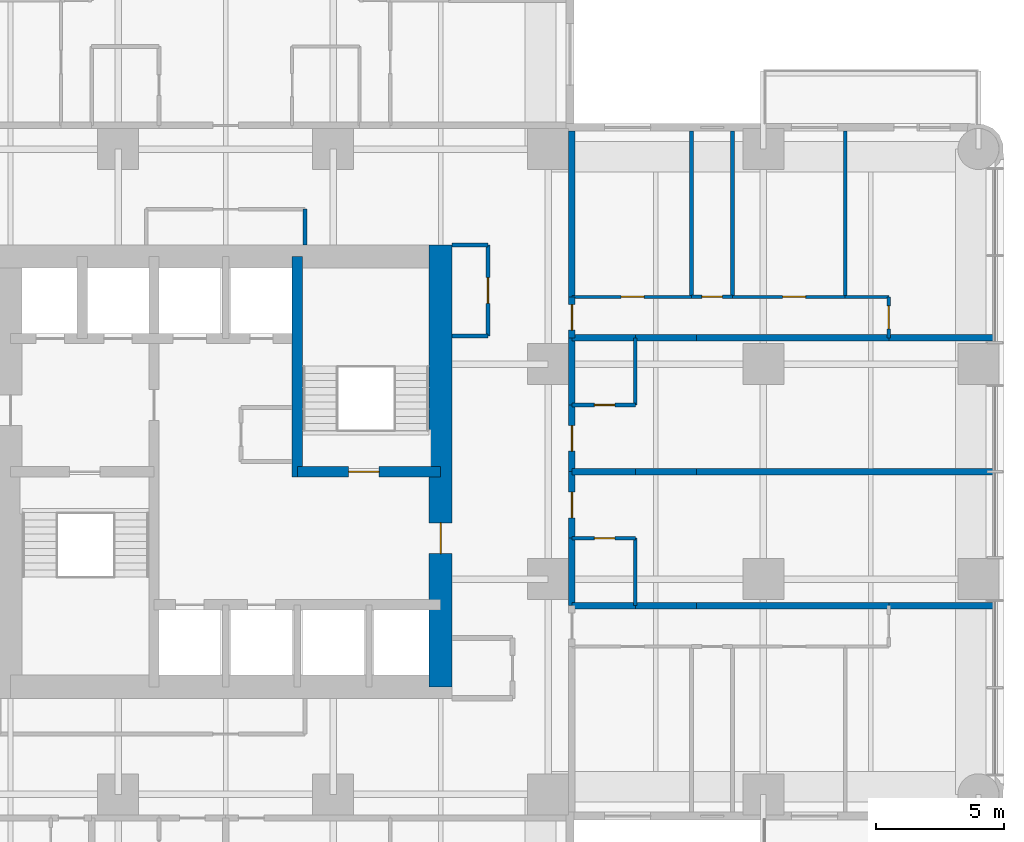
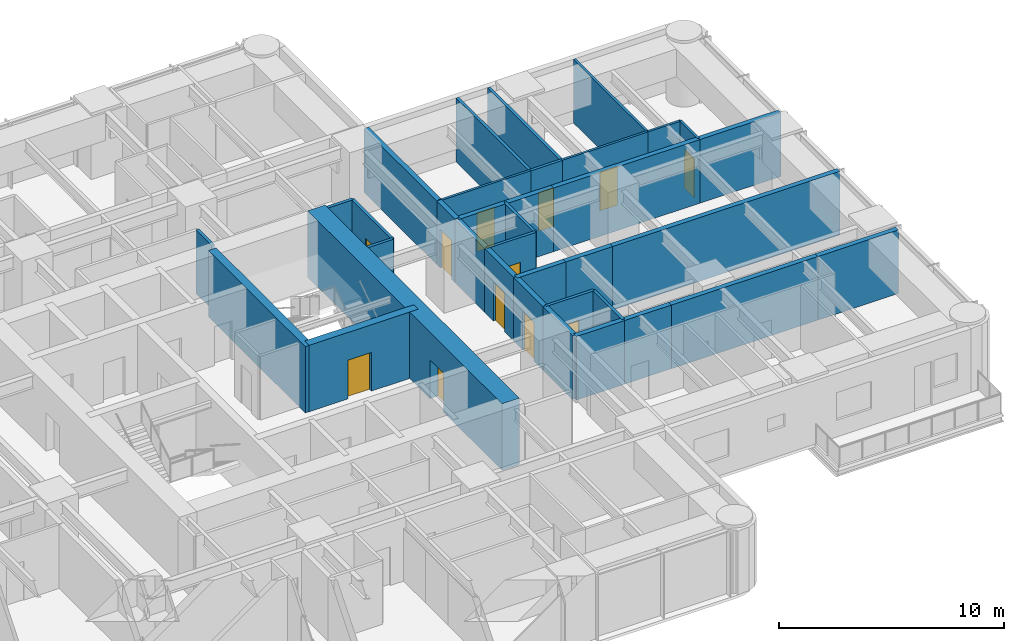
# One storey, part 10 of 14: 36 walls, 12 doors, 12 openings.
"""IFC4 building model written with IfcOpenShell, lengths in metres."""

from ifc_helpers import new_model, si_unit, direction, frame, frame_2d, origin, place, context, subcontext, project, spatial, rectangle, extrude, material, layer, layer_set, type_object, element, fill, save


model = new_model("IFC4")

# Units and contexts
model_context = context("Model", 3, precision=1e-05, world=origin(), true_north=direction((0.0, 1.0)))
body_context = subcontext(model_context, "Body", "Model", "MODEL_VIEW")
ifc_project = project(units=[si_unit("LENGTHUNIT", "METRE"), si_unit("AREAUNIT", "SQUARE_METRE"), si_unit("VOLUMEUNIT", "CUBIC_METRE"), si_unit("PLANEANGLEUNIT", "RADIAN"), si_unit("MASSUNIT", "GRAM", prefix="KILO")], contexts=[model_context])

# Site, building, storey
site_placement = place(None, origin())
site = spatial("IfcSite", under=ifc_project, at=site_placement, CompositionType="ELEMENT")
building_placement = place(site_placement, origin())
building = spatial("IfcBuilding", under=site, at=building_placement, Name="Torre Alcanfor", CompositionType="ELEMENT")
storey_placement = place(building_placement, frame((0.0, 0.0, 166.5)))
storey = spatial("IfcBuildingStorey", under=building, at=storey_placement, Name="L43", CompositionType="ELEMENT", Elevation=166.5)

# Wall, opening, door
ifc_material_1 = material(Name="Concrete block masonry, hollow blocks NMX-C-404 9 MPa", Category="masonry")
ifc_layer_1 = layer(ifc_material_1, 0.25)
ifc_layer_set_1 = layer_set([ifc_layer_1], Name="Apartment entrance wall 250 EI 60")
wall_type_1 = type_object("IfcWallType", Name="Apartment entrance wall 250 EI 60", PredefinedType="PARTITIONING", material=ifc_layer_set_1)
wall_1_placement = place(storey_placement, frame((42.925048828125, 32.0, 0.0), z_axis=(0.0, 0.0, 1.0), x_axis=(0.0, -1.0, 0.0)))
wall_1 = element("IfcWall", 1, at=wall_1_placement, inside=storey, type_object=wall_type_1, Name="Partition L43-CORR / L43-E1A-FOYER", PredefinedType="PARTITIONING", context=body_context, shape_type="SweptSolid", body=[
    extrude(rectangle(XDim=2.60009765625, YDim=0.25, at=frame_2d((1.300048828125, 0.0))), origin(), (0.0, 0.0, 1.0), 3.449951171875),
])
opening_1_placement = place(wall_1_placement, frame((0.800048828125, 0.0, 0.0)))
opening_1 = element("IfcOpeningElement", 2, at=opening_1_placement, cuts=wall_1, Name="Opening D-A1", PredefinedType="OPENING", context=body_context, shape_type="SweptSolid", body=[
    extrude(rectangle(XDim=1.0, YDim=2.10009765625, at=frame_2d((0.5, 1.050048828125))), frame((0.0, 0.135009765625, 0.0), z_axis=(0.0, -1.0, 0.0), x_axis=(1.0, 0.0, 0.0)), (0.0, 0.0, 1.0), 0.27001953125),
])
ifc_material_2 = material(Name="Galvanised steel sheet ASTM A653", Category="steel")
door_type_1 = type_object("IfcDoorType", Name="Apartment entrance door FD60 1000x2100", OperationType="SINGLE_SWING_LEFT", PredefinedType="DOOR", material=ifc_material_2)
door_1_placement = place(opening_1_placement, origin())
door_1 = element("IfcDoor", 3, at=door_1_placement, inside=storey, type_object=door_type_1, Name="Apartment entrance L43-E1A", OperationType="SINGLE_SWING_LEFT", OverallHeight=2.10009765625, OverallWidth=1.0, PredefinedType="DOOR", context=body_context, shape_type="SweptSolid", body=[
    extrude(rectangle(XDim=1.0, YDim=2.10009765625, at=frame_2d((0.5, 1.050048828125))), frame((0.0, 0.02490234375, 0.0), z_axis=(0.0, -1.0, 0.0), x_axis=(1.0, 0.0, 0.0)), (0.0, 0.0, 1.0), 0.050048828125),
])
fill(opening_1, door_1)

# Wall
wall_2_placement = place(storey_placement, frame((42.925048828125, 34.62890625, 0.0), z_axis=(0.0, 0.0, 1.0), x_axis=(0.0, -1.0, 0.0)))
element("IfcWall", 4, at=wall_2_placement, inside=storey, type_object=wall_type_1, Name="Partition L43-CORR / L43-E1A-BATH", PredefinedType="PARTITIONING", context=body_context, shape_type="SweptSolid", body=[
    extrude(rectangle(XDim=2.62890625, YDim=0.25, at=frame_2d((1.314453125, 0.0))), origin(), (0.0, 0.0, 1.0), 3.449951171875),
])

# Wall, opening, door
wall_3_placement = place(storey_placement, frame((42.925048828125, 36.22900390625, 0.0), z_axis=(0.0, 0.0, 1.0), x_axis=(0.0, -1.0, 0.0)))
wall_3 = element("IfcWall", 5, at=wall_3_placement, inside=storey, type_object=wall_type_1, Name="Partition L43-CORR / L43-E1B-HALL", PredefinedType="PARTITIONING", context=body_context, shape_type="SweptSolid", body=[
    extrude(rectangle(XDim=1.60009765625, YDim=0.25, at=frame_2d((0.800048828125, 0.0))), origin(), (0.0, 0.0, 1.0), 3.449951171875),
])
opening_2_placement = place(wall_3_placement, frame((0.300048828125, 0.0, 0.0)))
opening_2 = element("IfcOpeningElement", 6, at=opening_2_placement, cuts=wall_3, Name="Opening D-A1", PredefinedType="OPENING", context=body_context, shape_type="SweptSolid", body=[
    extrude(rectangle(XDim=1.0, YDim=2.10009765625, at=frame_2d((0.5, 1.050048828125))), frame((0.0, 0.135009765625, 0.0), z_axis=(0.0, -1.0, 0.0), x_axis=(1.0, 0.0, 0.0)), (0.0, 0.0, 1.0), 0.27001953125),
])
door_2_placement = place(opening_2_placement, origin())
door_2 = element("IfcDoor", 7, at=door_2_placement, inside=storey, type_object=door_type_1, Name="Apartment entrance L43-E1B", OperationType="SINGLE_SWING_LEFT", OverallHeight=2.10009765625, OverallWidth=1.0, PredefinedType="DOOR", context=body_context, shape_type="SweptSolid", body=[
    extrude(rectangle(XDim=1.0, YDim=2.10009765625, at=frame_2d((0.5, 1.050048828125))), frame((0.0, 0.02490234375, 0.0), z_axis=(0.0, -1.0, 0.0), x_axis=(1.0, 0.0, 0.0)), (0.0, 0.0, 1.0), 0.050048828125),
])
fill(opening_2, door_2)

# Wall
wall_4_placement = place(storey_placement, frame((42.925048828125, 42.699951171875, 0.0), z_axis=(0.0, 0.0, 1.0), x_axis=(0.0, -1.0, 0.0)))
element("IfcWall", 8, at=wall_4_placement, inside=storey, type_object=wall_type_1, Name="Partition L43-CORR / L43-E1B-MASTER", PredefinedType="PARTITIONING", context=body_context, shape_type="SweptSolid", body=[
    extrude(rectangle(XDim=6.470947265625, YDim=0.25, at=frame_2d((3.2353515625, 0.0))), origin(), (0.0, 0.0, 1.0), 3.449951171875),
])

# Wall, opening, door
wall_5_placement = place(storey_placement, frame((42.925048828125, 29.39990234375, 0.0), z_axis=(0.0, 0.0, 1.0), x_axis=(0.0, -1.0, 0.0)))
wall_5 = element("IfcWall", 9, at=wall_5_placement, inside=storey, type_object=wall_type_1, Name="Partition L43-CORR / L43-E2A-FOYER", PredefinedType="PARTITIONING", context=body_context, shape_type="SweptSolid", body=[
    extrude(rectangle(XDim=2.599853515625, YDim=0.25, at=frame_2d((1.2998046875, 0.0))), origin(), (0.0, 0.0, 1.0), 3.449951171875),
])
opening_3_placement = place(wall_5_placement, frame((0.800048828125, 0.0, 0.0)))
opening_3 = element("IfcOpeningElement", 10, at=opening_3_placement, cuts=wall_5, Name="Opening D-A1", PredefinedType="OPENING", context=body_context, shape_type="SweptSolid", body=[
    extrude(rectangle(XDim=1.0, YDim=2.10009765625, at=frame_2d((0.5, 1.050048828125))), frame((0.0, 0.135009765625, 0.0), z_axis=(0.0, -1.0, 0.0), x_axis=(1.0, 0.0, 0.0)), (0.0, 0.0, 1.0), 0.27001953125),
])
door_3_placement = place(opening_3_placement, origin())
door_3 = element("IfcDoor", 11, at=door_3_placement, inside=storey, type_object=door_type_1, Name="Apartment entrance L43-E2A", OperationType="SINGLE_SWING_LEFT", OverallHeight=2.10009765625, OverallWidth=1.0, PredefinedType="DOOR", context=body_context, shape_type="SweptSolid", body=[
    extrude(rectangle(XDim=1.0, YDim=2.10009765625, at=frame_2d((0.5, 1.050048828125))), frame((0.0, 0.02490234375, 0.0), z_axis=(0.0, -1.0, 0.0), x_axis=(1.0, 0.0, 0.0)), (0.0, 0.0, 1.0), 0.050048828125),
])
fill(opening_3, door_3)

# Wall
wall_6_placement = place(storey_placement, frame((42.925048828125, 26.800048828125, 0.0), z_axis=(0.0, 0.0, 1.0), x_axis=(0.0, -1.0, 0.0)))
element("IfcWall", 12, at=wall_6_placement, inside=storey, type_object=wall_type_1, Name="Partition L43-CORR / L43-E2A-BATH", PredefinedType="PARTITIONING", context=body_context, shape_type="SweptSolid", body=[
    extrude(rectangle(XDim=2.629150390625, YDim=0.25, at=frame_2d((1.314453125, 0.0))), origin(), (0.0, 0.0, 1.0), 3.449951171875),
])

# Wall, opening, door
ifc_material_3 = material(Name="Gypsum board on steel studs", Category="steel")
ifc_layer_2 = layer(ifc_material_3, 0.1201171875)
ifc_layer_set_2 = layer_set([ifc_layer_2], Name="Apartment partition 120")
wall_type_2 = type_object("IfcWallType", Name="Apartment partition 120", PredefinedType="PARTITIONING", material=ifc_layer_set_2)
wall_7_placement = place(storey_placement, frame((47.60009765625, 36.22900390625, 0.0), z_axis=(0.0, 0.0, 1.0), x_axis=(-1.0, 0.0, 0.0)))
wall_7 = element("IfcWall", 13, at=wall_7_placement, inside=storey, type_object=wall_type_2, Name="Partition L43-E1B-HALL / L43-E1B-MASTER", PredefinedType="PARTITIONING", context=body_context, shape_type="SweptSolid", body=[
    extrude(rectangle(XDim=4.675048828125, YDim=0.1201171875, at=frame_2d((2.33740234375, 0.0))), origin(), (0.0, 0.0, 1.0), 3.449951171875),
])
opening_4_placement = place(wall_7_placement, frame((1.85009765625, 0.0, 0.0)))
opening_4 = element("IfcOpeningElement", 14, at=opening_4_placement, cuts=wall_7, Name="Opening D-R1", PredefinedType="OPENING", context=body_context, shape_type="SweptSolid", body=[
    extrude(rectangle(XDim=0.89990234375, YDim=2.10009765625, at=frame_2d((0.449951171875, 1.050048828125))), frame((0.0, 0.070068359375, 0.0), z_axis=(0.0, -1.0, 0.0), x_axis=(1.0, 0.0, 0.0)), (0.0, 0.0, 1.0), 0.14013671875),
])
ifc_material_4 = material(Name="Timber", Category="wood")
door_type_2 = type_object("IfcDoorType", Name="Internal door 900x2100", OperationType="SINGLE_SWING_LEFT", PredefinedType="DOOR", material=ifc_material_4)
door_4_placement = place(opening_4_placement, frame((0.89990234375, 0.0, 0.0), z_axis=(0.0, 0.0, 1.0), x_axis=(-1.0, 0.0, 0.0)))
door_4 = element("IfcDoor", 15, at=door_4_placement, inside=storey, type_object=door_type_2, Name="Door L43-E1B master", OperationType="SINGLE_SWING_RIGHT", OverallHeight=2.10009765625, OverallWidth=0.89990234375, PredefinedType="DOOR", context=body_context, shape_type="SweptSolid", body=[
    extrude(rectangle(XDim=0.89990234375, YDim=2.10009765625, at=frame_2d((0.449951171875, 1.050048828125))), frame((0.0, 0.025146484375, 0.0), z_axis=(0.0, -1.0, 0.0), x_axis=(1.0, 0.0, 0.0)), (0.0, 0.0, 1.0), 0.050048828125),
])
fill(opening_4, door_4)

wall_8_placement = place(storey_placement, frame((53.60009765625, 36.22900390625, 0.0), z_axis=(0.0, 0.0, 1.0), x_axis=(-1.0, 0.0, 0.0)))
wall_8 = element("IfcWall", 16, at=wall_8_placement, inside=storey, type_object=wall_type_2, Name="Partition L43-E1B-HALL / L43-E1B-STUDY", PredefinedType="PARTITIONING", context=body_context, shape_type="SweptSolid", body=[
    extrude(rectangle(XDim=4.400146484375, YDim=0.1201171875, at=frame_2d((2.2001953125, 0.0))), origin(), (0.0, 0.0, 1.0), 3.449951171875),
])
opening_5_placement = place(wall_8_placement, frame((1.550048828125, 0.0, 0.0)))
opening_5 = element("IfcOpeningElement", 17, at=opening_5_placement, cuts=wall_8, Name="Opening D-R1", PredefinedType="OPENING", context=body_context, shape_type="SweptSolid", body=[
    extrude(rectangle(XDim=0.89990234375, YDim=2.10009765625, at=frame_2d((0.449951171875, 1.050048828125))), frame((0.0, 0.070068359375, 0.0), z_axis=(0.0, -1.0, 0.0), x_axis=(1.0, 0.0, 0.0)), (0.0, 0.0, 1.0), 0.14013671875),
])
door_5_placement = place(opening_5_placement, frame((0.89990234375, 0.0, 0.0), z_axis=(0.0, 0.0, 1.0), x_axis=(-1.0, 0.0, 0.0)))
door_5 = element("IfcDoor", 18, at=door_5_placement, inside=storey, type_object=door_type_2, Name="Door L43-E1B study", OperationType="SINGLE_SWING_RIGHT", OverallHeight=2.10009765625, OverallWidth=0.89990234375, PredefinedType="DOOR", context=body_context, shape_type="SweptSolid", body=[
    extrude(rectangle(XDim=0.89990234375, YDim=2.10009765625, at=frame_2d((0.449951171875, 1.050048828125))), frame((0.0, 0.025146484375, 0.0), z_axis=(0.0, -1.0, 0.0), x_axis=(1.0, 0.0, 0.0)), (0.0, 0.0, 1.0), 0.050048828125),
])
fill(opening_5, door_5)

# Wall
wall_9_placement = place(storey_placement, frame((55.300048828125, 36.22900390625, 0.0), z_axis=(0.0, 0.0, 1.0), x_axis=(-1.0, 0.0, 0.0)))
element("IfcWall", 19, at=wall_9_placement, inside=storey, type_object=wall_type_2, Name="Partition L43-E1B-HALL / L43-E1B-KITCHEN", PredefinedType="PARTITIONING", context=body_context, shape_type="SweptSolid", body=[
    extrude(rectangle(XDim=1.699951171875, YDim=0.1201171875, at=frame_2d((0.85009765625, 0.0))), origin(), (0.0, 0.0, 1.0), 3.449951171875),
])

# Wall, opening, door
wall_10_placement = place(storey_placement, frame((55.300048828125, 34.62890625, 0.0), z_axis=(0.0, 0.0, 1.0), x_axis=(0.0, 1.0, 0.0)))
wall_10 = element("IfcWall", 20, at=wall_10_placement, inside=storey, type_object=wall_type_2, Name="Partition L43-E1B-HALL / L43-E1B-LIVING", PredefinedType="PARTITIONING", context=body_context, shape_type="SweptSolid", body=[
    extrude(rectangle(XDim=1.60009765625, YDim=0.1201171875, at=frame_2d((0.800048828125, 0.0))), origin(), (0.0, 0.0, 1.0), 3.449951171875),
])
opening_6_placement = place(wall_10_placement, frame((0.35009765625, 0.0, 0.0)))
opening_6 = element("IfcOpeningElement", 21, at=opening_6_placement, cuts=wall_10, Name="Opening D-R1", PredefinedType="OPENING", context=body_context, shape_type="SweptSolid", body=[
    extrude(rectangle(XDim=0.89990234375, YDim=2.10009765625, at=frame_2d((0.449951171875, 1.050048828125))), frame((0.0, 0.070068359375, 0.0), z_axis=(0.0, -1.0, 0.0), x_axis=(1.0, 0.0, 0.0)), (0.0, 0.0, 1.0), 0.14013671875),
])
door_6_placement = place(opening_6_placement, frame((0.89990234375, 0.0, 0.0), z_axis=(0.0, 0.0, 1.0), x_axis=(-1.0, 0.0, 0.0)))
door_6 = element("IfcDoor", 22, at=door_6_placement, inside=storey, type_object=door_type_2, Name="Door L43-E1B living", OperationType="SINGLE_SWING_RIGHT", OverallHeight=2.10009765625, OverallWidth=0.89990234375, PredefinedType="DOOR", context=body_context, shape_type="SweptSolid", body=[
    extrude(rectangle(XDim=0.89990234375, YDim=2.10009765625, at=frame_2d((0.449951171875, 1.050048828125))), frame((0.0, 0.025146484375, 0.0), z_axis=(0.0, -1.0, 0.0), x_axis=(1.0, 0.0, 0.0)), (0.0, 0.0, 1.0), 0.050048828125),
])
fill(opening_6, door_6)

# Walls
wall_11_placement = place(storey_placement, frame((53.60009765625, 36.22900390625, 0.0), z_axis=(0.0, 0.0, 1.0), x_axis=(0.0, 1.0, 0.0)))
element("IfcWall", 23, at=wall_11_placement, inside=storey, type_object=wall_type_2, Name="Partition L43-E1B-STUDY / L43-E1B-KITCHEN", PredefinedType="PARTITIONING", context=body_context, shape_type="SweptSolid", body=[
    extrude(rectangle(XDim=6.470947265625, YDim=0.1201171875, at=frame_2d((3.2353515625, 0.0))), origin(), (0.0, 0.0, 1.0), 3.449951171875),
])
ifc_material_5 = material(Name="Concrete f'c 70 MPa", Category="concrete")
ifc_layer_3 = layer(ifc_material_5, 0.39990234375)
ifc_layer_set_3 = layer_set([ifc_layer_3], Name="Core inner wall 400 f'c70")
wall_type_3 = type_object("IfcWallType", Name="Core inner wall 400 f'c70", PredefinedType="SHEAR", material=ifc_layer_set_3)
wall_12_placement = place(storey_placement, frame((32.199951171875, 29.199951171875, 0.0), z_axis=(0.0, 0.0, 1.0), x_axis=(0.0, 1.0, 0.0)))
element("IfcWall", 24, at=wall_12_placement, inside=storey, type_object=wall_type_3, Name="Core wall X322N L43", PredefinedType="SHEAR", context=body_context, shape_type="SweptSolid", body=[
    extrude(rectangle(XDim=8.60009765625, YDim=0.39990234375, at=frame_2d((4.300048828125, 0.0))), origin(), (0.0, 0.0, 1.0), 3.60009765625),
])

# Wall, opening, door
wall_13_placement = place(storey_placement, frame((32.199951171875, 29.39990234375, 0.0), z_axis=(0.0, 0.0, 1.0), x_axis=(1.0, 0.0, 0.0)))
wall_13 = element("IfcWall", 25, at=wall_13_placement, inside=storey, type_object=wall_type_3, Name="Core wall Y294E L43", PredefinedType="SHEAR", context=body_context, shape_type="SweptSolid", body=[
    extrude(rectangle(XDim=5.60009765625, YDim=0.39990234375, at=frame_2d((2.800048828125, 0.0))), origin(), (0.0, 0.0, 1.0), 3.60009765625),
])
opening_7_placement = place(wall_13_placement, frame((2.0, 0.0, 0.0)))
opening_7 = element("IfcOpeningElement", 26, at=opening_7_placement, cuts=wall_13, Name="Opening D-S2", PredefinedType="OPENING", context=body_context, shape_type="SweptSolid", body=[
    extrude(rectangle(XDim=1.199951171875, YDim=2.10009765625, at=frame_2d((0.60009765625, 1.050048828125))), frame((0.0, 0.2099609375, 0.0), z_axis=(0.0, -1.0, 0.0), x_axis=(1.0, 0.0, 0.0)), (0.0, 0.0, 1.0), 0.419921875),
])
ifc_material_6 = material(Name="Galvanised steel sheet ASTM A653", Category="steel")
door_type_3 = type_object("IfcDoorType", Name="Stair enclosure door FD120 1200x2100", OperationType="SINGLE_SWING_LEFT", PredefinedType="DOOR", material=ifc_material_6)
door_7_placement = place(opening_7_placement, origin())
door_7 = element("IfcDoor", 27, at=door_7_placement, inside=storey, type_object=door_type_3, Name="Stair S2 door L43", OperationType="SINGLE_SWING_LEFT", OverallHeight=2.10009765625, OverallWidth=1.199951171875, PredefinedType="DOOR", context=body_context, shape_type="SweptSolid", body=[
    extrude(rectangle(XDim=1.199951171875, YDim=2.10009765625, at=frame_2d((0.60009765625, 1.050048828125))), frame((0.0, 0.02490234375, 0.0), z_axis=(0.0, -1.0, 0.0), x_axis=(1.0, 0.0, 0.0)), (0.0, 0.0, 1.0), 0.050048828125),
])
fill(opening_7, door_7)

ifc_material_7 = material(Name="Concrete f'c 70 MPa", Category="concrete")
ifc_layer_4 = layer(ifc_material_7, 0.89990234375)
ifc_layer_set_4 = layer_set([ifc_layer_4], Name="Core wall 900 f'c70")
wall_type_4 = type_object("IfcWallType", Name="Core wall 900 f'c70", PredefinedType="SHEAR", material=ifc_layer_set_4)
wall_14_placement = place(storey_placement, frame((37.800048828125, 21.0, 0.0), z_axis=(0.0, 0.0, 1.0), x_axis=(0.0, 1.0, 0.0)))
wall_14 = element("IfcWall", 28, at=wall_14_placement, inside=storey, type_object=wall_type_4, Name="Core wall OUT-E L43", PredefinedType="SHEAR", context=body_context, shape_type="SweptSolid", body=[
    extrude(rectangle(XDim=17.25, YDim=0.89990234375, at=frame_2d((8.625, 0.0))), origin(), (0.0, 0.0, 1.0), 3.60009765625),
])
opening_8_placement = place(wall_14_placement, frame((5.199951171875, 0.0, 0.0)))
opening_8 = element("IfcOpeningElement", 29, at=opening_8_placement, cuts=wall_14, Name="Opening D-L1", PredefinedType="OPENING", context=body_context, shape_type="SweptSolid", body=[
    extrude(rectangle(XDim=1.199951171875, YDim=2.10009765625, at=frame_2d((0.60009765625, 1.050048828125))), frame((0.0, 0.4599609375, 0.0), z_axis=(0.0, -1.0, 0.0), x_axis=(1.0, 0.0, 0.0)), (0.0, 0.0, 1.0), 0.919921875),
])
ifc_material_8 = material(Name="Galvanised steel sheet ASTM A653", Category="steel")
door_type_4 = type_object("IfcDoorType", Name="Lobby door FD120 1200x2100", OperationType="SINGLE_SWING_LEFT", PredefinedType="DOOR", material=ifc_material_8)
door_8_placement = place(opening_8_placement, origin())
door_8 = element("IfcDoor", 30, at=door_8_placement, inside=storey, type_object=door_type_4, Name="Lift lobby entrance door L43", OperationType="SINGLE_SWING_LEFT", OverallHeight=2.10009765625, OverallWidth=1.199951171875, PredefinedType="DOOR", context=body_context, shape_type="SweptSolid", body=[
    extrude(rectangle(XDim=1.199951171875, YDim=2.10009765625, at=frame_2d((0.60009765625, 1.050048828125))), frame((0.0, 0.02490234375, 0.0), z_axis=(0.0, -1.0, 0.0), x_axis=(1.0, 0.0, 0.0)), (0.0, 0.0, 1.0), 0.050048828125),
])
fill(opening_8, door_8)

# Walls
ifc_material_9 = material(Name="Concrete block masonry, hollow blocks NMX-C-404 9 MPa", Category="masonry")
ifc_layer_5 = layer(ifc_material_9, 0.25)
ifc_layer_set_5 = layer_set([ifc_layer_5], Name="Party wall 250 EI 60")
wall_type_5 = type_object("IfcWallType", Name="Party wall 250 EI 60", PredefinedType="PARTITIONING", material=ifc_layer_set_5)
for number, where, z_axis, x_axis, name in (
    (31, (42.925048828125, 29.39990234375, 0.0), (0.0, 0.0, 1.0), (1.0, 0.0, 0.0), "Partition L43-E1A-FOYER / L43-E2A-FOYER"),
    (32, (45.39990234375, 34.62890625, 0.0), (0.0, 0.0, 1.0), (-1.0, 0.0, 0.0), "Partition L43-E1A-BATH / L43-E1B-HALL"),
):
    element("IfcWall", number, at=place(storey_placement, frame(where, z_axis=z_axis, x_axis=x_axis)), inside=storey, type_object=wall_type_5, Name=name, PredefinedType="PARTITIONING", context=body_context, shape_type="SweptSolid", body=[
        extrude(rectangle(XDim=2.474853515625, YDim=0.25, at=frame_2d((1.2373046875, 0.0))), origin(), (0.0, 0.0, 1.0), 3.449951171875),
    ])
for number, where, z_axis, x_axis, name in (
    (33, (47.800048828125, 34.62890625, 0.0), (0.0, 0.0, 1.0), (-1.0, 0.0, 0.0), "Partition L43-E1A-KITCHEN / L43-E1B-HALL"),
    (34, (45.39990234375, 29.39990234375, 0.0), (0.0, 0.0, 1.0), (1.0, 0.0, 0.0), "Partition L43-E1A-KITCHEN / L43-E2A-KITCHEN"),
):
    element("IfcWall", number, at=place(storey_placement, frame(where, z_axis=z_axis, x_axis=x_axis)), inside=storey, type_object=wall_type_5, Name=name, PredefinedType="PARTITIONING", context=body_context, shape_type="SweptSolid", body=[
        extrude(rectangle(XDim=2.400146484375, YDim=0.25, at=frame_2d((1.2001953125, 0.0))), origin(), (0.0, 0.0, 1.0), 3.449951171875),
    ])
wall_15_placement = place(storey_placement, frame((55.300048828125, 34.62890625, 0.0), z_axis=(0.0, 0.0, 1.0), x_axis=(-1.0, 0.0, 0.0)))
element("IfcWall", 35, at=wall_15_placement, inside=storey, type_object=wall_type_5, Name="Partition L43-E1A-STUDIO / L43-E1B-HALL", PredefinedType="PARTITIONING", context=body_context, shape_type="SweptSolid", body=[
    extrude(rectangle(XDim=7.5, YDim=0.25, at=frame_2d((3.75, 0.0))), origin(), (0.0, 0.0, 1.0), 3.449951171875),
])
wall_16_placement = place(storey_placement, frame((59.449951171875, 34.62890625, 0.0), z_axis=(0.0, 0.0, 1.0), x_axis=(-1.0, 0.0, 0.0)))
element("IfcWall", 36, at=wall_16_placement, inside=storey, type_object=wall_type_5, Name="Partition L43-E1A-STUDIO / L43-E1B-LIVING", PredefinedType="PARTITIONING", context=body_context, shape_type="SweptSolid", body=[
    extrude(rectangle(XDim=4.14990234375, YDim=0.25, at=frame_2d((2.074951171875, 0.0))), origin(), (0.0, 0.0, 1.0), 3.449951171875),
])
wall_17_placement = place(storey_placement, frame((47.800048828125, 29.39990234375, 0.0), z_axis=(0.0, 0.0, 1.0), x_axis=(1.0, 0.0, 0.0)))
element("IfcWall", 37, at=wall_17_placement, inside=storey, type_object=wall_type_5, Name="Partition L43-E1A-STUDIO / L43-E2A-STUDIO", PredefinedType="PARTITIONING", context=body_context, shape_type="SweptSolid", body=[
    extrude(rectangle(XDim=11.64990234375, YDim=0.25, at=frame_2d((5.824951171875, 0.0))), origin(), (0.0, 0.0, 1.0), 3.449951171875),
])
wall_18_placement = place(storey_placement, frame((45.39990234375, 24.1708984375, 0.0), z_axis=(0.0, 0.0, 1.0), x_axis=(-1.0, 0.0, 0.0)))
element("IfcWall", 38, at=wall_18_placement, inside=storey, type_object=wall_type_5, Name="Partition L43-E2A-BATH / L43-E2B-HALL", PredefinedType="PARTITIONING", context=body_context, shape_type="SweptSolid", body=[
    extrude(rectangle(XDim=2.474853515625, YDim=0.25, at=frame_2d((1.2373046875, 0.0))), origin(), (0.0, 0.0, 1.0), 3.449951171875),
])
wall_19_placement = place(storey_placement, frame((47.800048828125, 24.1708984375, 0.0), z_axis=(0.0, 0.0, 1.0), x_axis=(-1.0, 0.0, 0.0)))
element("IfcWall", 39, at=wall_19_placement, inside=storey, type_object=wall_type_5, Name="Partition L43-E2A-KITCHEN / L43-E2B-HALL", PredefinedType="PARTITIONING", context=body_context, shape_type="SweptSolid", body=[
    extrude(rectangle(XDim=2.400146484375, YDim=0.25, at=frame_2d((1.2001953125, 0.0))), origin(), (0.0, 0.0, 1.0), 3.449951171875),
])
wall_20_placement = place(storey_placement, frame((55.300048828125, 24.1708984375, 0.0), z_axis=(0.0, 0.0, 1.0), x_axis=(-1.0, 0.0, 0.0)))
element("IfcWall", 40, at=wall_20_placement, inside=storey, type_object=wall_type_5, Name="Partition L43-E2A-STUDIO / L43-E2B-HALL", PredefinedType="PARTITIONING", context=body_context, shape_type="SweptSolid", body=[
    extrude(rectangle(XDim=7.5, YDim=0.25, at=frame_2d((3.75, 0.0))), origin(), (0.0, 0.0, 1.0), 3.449951171875),
])
wall_21_placement = place(storey_placement, frame((59.449951171875, 24.1708984375, 0.0), z_axis=(0.0, 0.0, 1.0), x_axis=(-1.0, 0.0, 0.0)))
element("IfcWall", 41, at=wall_21_placement, inside=storey, type_object=wall_type_5, Name="Partition L43-E2A-STUDIO / L43-E2B-LIVING", PredefinedType="PARTITIONING", context=body_context, shape_type="SweptSolid", body=[
    extrude(rectangle(XDim=4.14990234375, YDim=0.25, at=frame_2d((2.074951171875, 0.0))), origin(), (0.0, 0.0, 1.0), 3.449951171875),
])
ifc_material_10 = material(Name="Concrete block masonry, hollow blocks NMX-C-404 9 MPa", Category="masonry")
ifc_layer_6 = layer(ifc_material_10, 0.14990234375)
ifc_layer_set_6 = layer_set([ifc_layer_6], Name="Residents' room partition 150")
wall_type_6 = type_object("IfcWallType", Name="Residents' room partition 150", PredefinedType="PARTITIONING", material=ifc_layer_set_6)
for number, where, z_axis, x_axis, name in (
    (42, (32.5, 38.25, 0.0), (0.0, 0.0, 1.0), (0.0, 1.0, 0.0), "Partition L43-CORR / L43-G01"),
    (43, (38.25, 34.699951171875, 0.0), (0.0, 0.0, 1.0), (1.0, 0.0, 0.0), "Partition L43-CORR / L43-G03"),
):
    element("IfcWall", number, at=place(storey_placement, frame(where, z_axis=z_axis, x_axis=x_axis)), inside=storey, type_object=wall_type_6, Name=name, PredefinedType="PARTITIONING", context=body_context, shape_type="SweptSolid", body=[
        extrude(rectangle(XDim=1.39990234375, YDim=0.14990234375, at=frame_2d((0.699951171875, 0.0))), origin(), (0.0, 0.0, 1.0), 3.449951171875),
    ])

# Wall, opening, door
wall_22_placement = place(storey_placement, frame((39.64990234375, 34.699951171875, 0.0), z_axis=(0.0, 0.0, 1.0), x_axis=(0.0, 1.0, 0.0)))
wall_22 = element("IfcWall", 44, at=wall_22_placement, inside=storey, type_object=wall_type_6, Name="Partition L43-CORR / L43-G03", PredefinedType="PARTITIONING", context=body_context, shape_type="SweptSolid", body=[
    extrude(rectangle(XDim=3.550048828125, YDim=0.14990234375, at=frame_2d((1.77490234375, 0.0))), origin(), (0.0, 0.0, 1.0), 3.449951171875),
])
opening_9_placement = place(wall_22_placement, frame((1.27490234375, 0.0, 0.0)))
opening_9 = element("IfcOpeningElement", 45, at=opening_9_placement, cuts=wall_22, Name="Opening D-M1", PredefinedType="OPENING", context=body_context, shape_type="SweptSolid", body=[
    extrude(rectangle(XDim=1.0, YDim=2.10009765625, at=frame_2d((0.5, 1.050048828125))), frame((0.0, 0.0849609375, 0.0), z_axis=(0.0, -1.0, 0.0), x_axis=(1.0, 0.0, 0.0)), (0.0, 0.0, 1.0), 0.169921875),
])
ifc_material_11 = material(Name="Timber", Category="wood")
door_type_5 = type_object("IfcDoorType", Name="Residents' room door 1000x2100", OperationType="SINGLE_SWING_LEFT", PredefinedType="DOOR", material=ifc_material_11)
door_9_placement = place(opening_9_placement, origin())
door_9 = element("IfcDoor", 46, at=door_9_placement, inside=storey, type_object=door_type_5, Name="Door L43-G03 pram and buggy store", OperationType="SINGLE_SWING_LEFT", OverallHeight=2.10009765625, OverallWidth=1.0, PredefinedType="DOOR", context=body_context, shape_type="SweptSolid", body=[
    extrude(rectangle(XDim=1.0, YDim=2.10009765625, at=frame_2d((0.5, 1.050048828125))), frame((0.0, 0.02490234375, 0.0), z_axis=(0.0, -1.0, 0.0), x_axis=(1.0, 0.0, 0.0)), (0.0, 0.0, 1.0), 0.050048828125),
])
fill(opening_9, door_9)

# Wall
wall_23_placement = place(storey_placement, frame((39.64990234375, 38.25, 0.0), z_axis=(0.0, 0.0, 1.0), x_axis=(-1.0, 0.0, 0.0)))
element("IfcWall", 47, at=wall_23_placement, inside=storey, type_object=wall_type_6, Name="Partition L43-CORR / L43-G03", PredefinedType="PARTITIONING", context=body_context, shape_type="SweptSolid", body=[
    extrude(rectangle(XDim=1.39990234375, YDim=0.14990234375, at=frame_2d((0.699951171875, 0.0))), origin(), (0.0, 0.0, 1.0), 3.449951171875),
])

# Wall, opening, door
ifc_material_12 = material(Name="Cement board on steel studs", Category="steel")
ifc_layer_7 = layer(ifc_material_12, 0.14990234375)
ifc_layer_set_7 = layer_set([ifc_layer_7], Name="Wet area partition 150")
wall_type_7 = type_object("IfcWallType", Name="Wet area partition 150", PredefinedType="PARTITIONING", material=ifc_layer_set_7)
wall_24_placement = place(storey_placement, frame((45.39990234375, 32.0, 0.0), z_axis=(0.0, 0.0, 1.0), x_axis=(-1.0, 0.0, 0.0)))
wall_24 = element("IfcWall", 48, at=wall_24_placement, inside=storey, type_object=wall_type_7, Name="Partition L43-E1A-FOYER / L43-E1A-BATH", PredefinedType="PARTITIONING", context=body_context, shape_type="SweptSolid", body=[
    extrude(rectangle(XDim=2.474853515625, YDim=0.14990234375, at=frame_2d((1.2373046875, 0.0))), origin(), (0.0, 0.0, 1.0), 3.449951171875),
])
opening_10_placement = place(wall_24_placement, frame((0.800048828125, 0.0, 0.0)))
opening_10 = element("IfcOpeningElement", 49, at=opening_10_placement, cuts=wall_24, Name="Opening D-R2", PredefinedType="OPENING", context=body_context, shape_type="SweptSolid", body=[
    extrude(rectangle(XDim=0.800048828125, YDim=2.10009765625, at=frame_2d((0.39990234375, 1.050048828125))), frame((0.0, 0.0849609375, 0.0), z_axis=(0.0, -1.0, 0.0), x_axis=(1.0, 0.0, 0.0)), (0.0, 0.0, 1.0), 0.169921875),
])
ifc_material_13 = material(Name="Timber", Category="wood")
door_type_6 = type_object("IfcDoorType", Name="Bathroom door 800x2100", OperationType="SINGLE_SWING_LEFT", PredefinedType="DOOR", material=ifc_material_13)
door_10_placement = place(opening_10_placement, frame((0.800048828125, 0.0, 0.0), z_axis=(0.0, 0.0, 1.0), x_axis=(-1.0, 0.0, 0.0)))
door_10 = element("IfcDoor", 50, at=door_10_placement, inside=storey, type_object=door_type_6, Name="Door L43-E1A bath", OperationType="SINGLE_SWING_RIGHT", OverallHeight=2.10009765625, OverallWidth=0.800048828125, PredefinedType="DOOR", context=body_context, shape_type="SweptSolid", body=[
    extrude(rectangle(XDim=0.800048828125, YDim=2.10009765625, at=frame_2d((0.400146484375, 1.050048828125))), frame((0.0, 0.025146484375, 0.0), z_axis=(0.0, -1.0, 0.0), x_axis=(1.0, 0.0, 0.0)), (0.0, 0.0, 1.0), 0.050048828125),
])
fill(opening_10, door_10)

# Wall
wall_25_placement = place(storey_placement, frame((45.39990234375, 32.0, 0.0), z_axis=(0.0, 0.0, 1.0), x_axis=(0.0, 1.0, 0.0)))
element("IfcWall", 51, at=wall_25_placement, inside=storey, type_object=wall_type_7, Name="Partition L43-E1A-BATH / L43-E1A-KITCHEN", PredefinedType="PARTITIONING", context=body_context, shape_type="SweptSolid", body=[
    extrude(rectangle(XDim=2.62890625, YDim=0.14990234375, at=frame_2d((1.314453125, 0.0))), origin(), (0.0, 0.0, 1.0), 3.449951171875),
])

# Wall, opening, door
wall_26_placement = place(storey_placement, frame((49.199951171875, 36.22900390625, 0.0), z_axis=(0.0, 0.0, 1.0), x_axis=(-1.0, 0.0, 0.0)))
wall_26 = element("IfcWall", 52, at=wall_26_placement, inside=storey, type_object=wall_type_7, Name="Partition L43-E1B-HALL / L43-E1B-BATH", PredefinedType="PARTITIONING", context=body_context, shape_type="SweptSolid", body=[
    extrude(rectangle(XDim=1.599853515625, YDim=0.14990234375, at=frame_2d((0.7998046875, 0.0))), origin(), (0.0, 0.0, 1.0), 3.449951171875),
])
opening_11_placement = place(wall_26_placement, frame((0.39990234375, 0.0, 0.0)))
opening_11 = element("IfcOpeningElement", 53, at=opening_11_placement, cuts=wall_26, Name="Opening D-R2", PredefinedType="OPENING", context=body_context, shape_type="SweptSolid", body=[
    extrude(rectangle(XDim=0.800048828125, YDim=2.10009765625, at=frame_2d((0.39990234375, 1.050048828125))), frame((0.0, 0.0849609375, 0.0), z_axis=(0.0, -1.0, 0.0), x_axis=(1.0, 0.0, 0.0)), (0.0, 0.0, 1.0), 0.169921875),
])
door_11_placement = place(opening_11_placement, frame((0.800048828125, 0.0, 0.0), z_axis=(0.0, 0.0, 1.0), x_axis=(-1.0, 0.0, 0.0)))
door_11 = element("IfcDoor", 54, at=door_11_placement, inside=storey, type_object=door_type_6, Name="Door L43-E1B bath", OperationType="SINGLE_SWING_RIGHT", OverallHeight=2.10009765625, OverallWidth=0.800048828125, PredefinedType="DOOR", context=body_context, shape_type="SweptSolid", body=[
    extrude(rectangle(XDim=0.800048828125, YDim=2.10009765625, at=frame_2d((0.400146484375, 1.050048828125))), frame((0.0, 0.025146484375, 0.0), z_axis=(0.0, -1.0, 0.0), x_axis=(1.0, 0.0, 0.0)), (0.0, 0.0, 1.0), 0.050048828125),
])
fill(opening_11, door_11)

# Walls
for number, where, z_axis, x_axis, name in (
    (55, (47.60009765625, 36.22900390625, 0.0), (0.0, 0.0, 1.0), (0.0, 1.0, 0.0), "Partition L43-E1B-MASTER / L43-E1B-BATH"),
    (56, (49.199951171875, 36.22900390625, 0.0), (0.0, 0.0, 1.0), (0.0, 1.0, 0.0), "Partition L43-E1B-BATH / L43-E1B-STUDY"),
):
    element("IfcWall", number, at=place(storey_placement, frame(where, z_axis=z_axis, x_axis=x_axis)), inside=storey, type_object=wall_type_7, Name=name, PredefinedType="PARTITIONING", context=body_context, shape_type="SweptSolid", body=[
        extrude(rectangle(XDim=6.470947265625, YDim=0.14990234375, at=frame_2d((3.2353515625, 0.0))), origin(), (0.0, 0.0, 1.0), 3.449951171875),
    ])

# Wall, opening, door
wall_27_placement = place(storey_placement, frame((45.39990234375, 26.800048828125, 0.0), z_axis=(0.0, 0.0, 1.0), x_axis=(-1.0, 0.0, 0.0)))
wall_27 = element("IfcWall", 57, at=wall_27_placement, inside=storey, type_object=wall_type_7, Name="Partition L43-E2A-FOYER / L43-E2A-BATH", PredefinedType="PARTITIONING", context=body_context, shape_type="SweptSolid", body=[
    extrude(rectangle(XDim=2.474853515625, YDim=0.14990234375, at=frame_2d((1.2373046875, 0.0))), origin(), (0.0, 0.0, 1.0), 3.449951171875),
])
opening_12_placement = place(wall_27_placement, frame((0.800048828125, 0.0, 0.0)))
opening_12 = element("IfcOpeningElement", 58, at=opening_12_placement, cuts=wall_27, Name="Opening D-R2", PredefinedType="OPENING", context=body_context, shape_type="SweptSolid", body=[
    extrude(rectangle(XDim=0.800048828125, YDim=2.10009765625, at=frame_2d((0.39990234375, 1.050048828125))), frame((0.0, 0.0849609375, 0.0), z_axis=(0.0, -1.0, 0.0), x_axis=(1.0, 0.0, 0.0)), (0.0, 0.0, 1.0), 0.169921875),
])
door_12_placement = place(opening_12_placement, origin())
door_12 = element("IfcDoor", 59, at=door_12_placement, inside=storey, type_object=door_type_6, Name="Door L43-E2A bath", OperationType="SINGLE_SWING_LEFT", OverallHeight=2.10009765625, OverallWidth=0.800048828125, PredefinedType="DOOR", context=body_context, shape_type="SweptSolid", body=[
    extrude(rectangle(XDim=0.800048828125, YDim=2.10009765625, at=frame_2d((0.39990234375, 1.050048828125))), frame((0.0, 0.02490234375, 0.0), z_axis=(0.0, -1.0, 0.0), x_axis=(1.0, 0.0, 0.0)), (0.0, 0.0, 1.0), 0.050048828125),
])
fill(opening_12, door_12)

# Wall
wall_28_placement = place(storey_placement, frame((45.39990234375, 26.800048828125, 0.0), z_axis=(0.0, 0.0, 1.0), x_axis=(0.0, -1.0, 0.0)))
element("IfcWall", 60, at=wall_28_placement, inside=storey, type_object=wall_type_7, Name="Partition L43-E2A-BATH / L43-E2A-KITCHEN", PredefinedType="PARTITIONING", context=body_context, shape_type="SweptSolid", body=[
    extrude(rectangle(XDim=2.629150390625, YDim=0.14990234375, at=frame_2d((1.314453125, 0.0))), origin(), (0.0, 0.0, 1.0), 3.449951171875),
])

save(model, "model.ifc")
